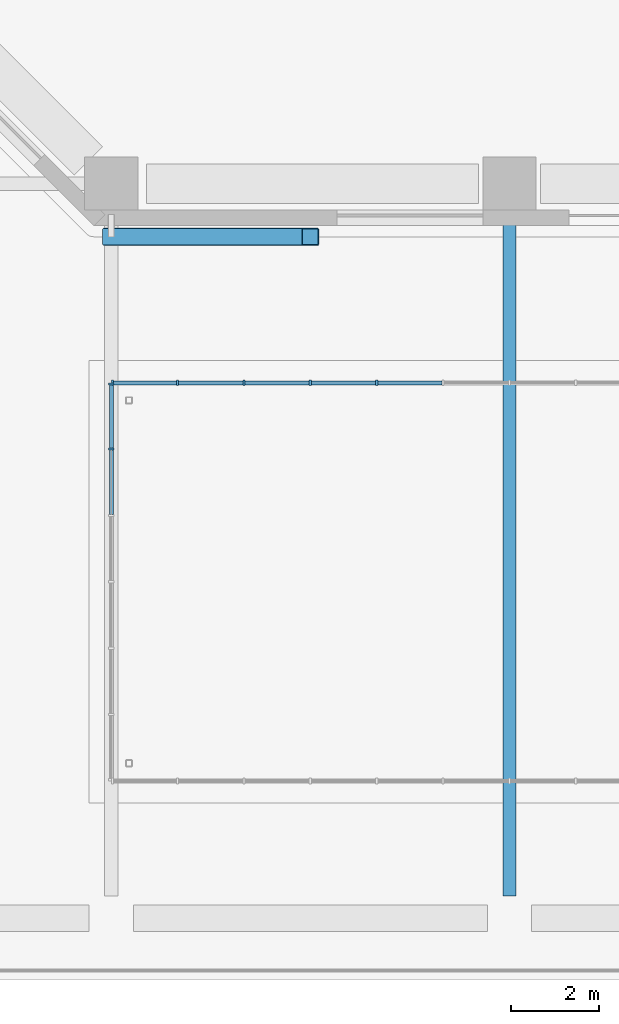
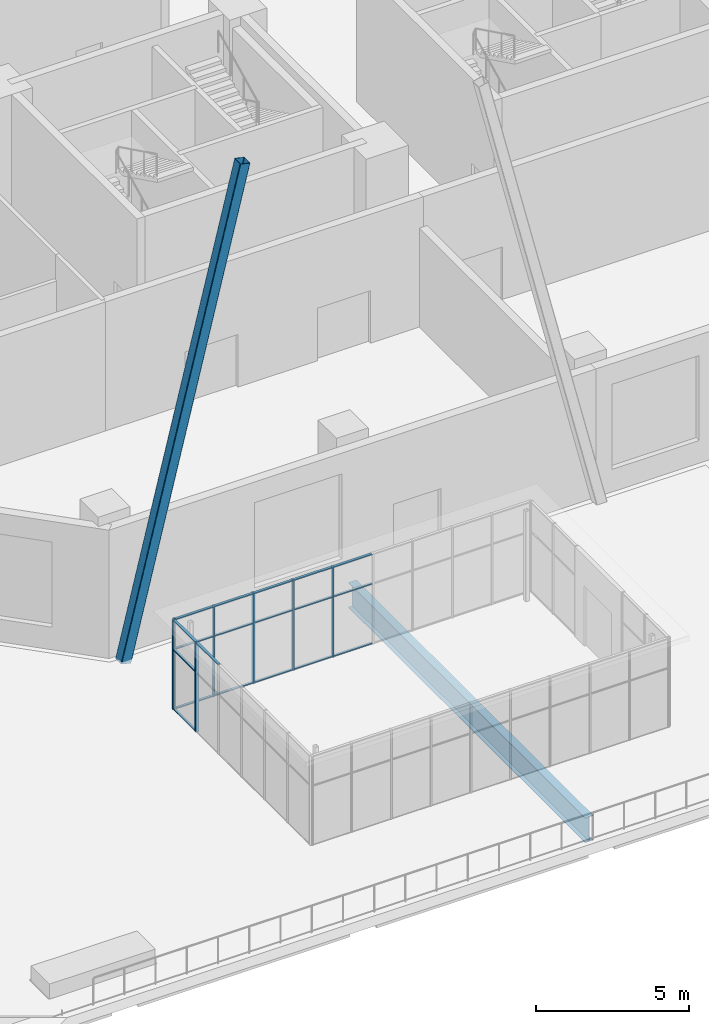
# One storey, part 6 of 33: 27 members, 1 beam, 2 elements without a shape of their own.
"""IFC4 building model written with IfcOpenShell, lengths in metres."""

from ifc_helpers import new_model, si_unit, direction, frame, origin, origin_2d, place, context, subcontext, project, spatial, rectangle, hollow_rectangle, i_section, extrude, material, constituent, constituent_set, material_profile, profile_set, type_object, element, aggregate, save


model = new_model("IFC4")

# Units and contexts
model_context = context("Model", 3, precision=1e-05, world=origin(), true_north=direction((0.0, 1.0)))
body_context = subcontext(model_context, "Body", "Model", "MODEL_VIEW")
ifc_project = project(units=[si_unit("LENGTHUNIT", "METRE"), si_unit("AREAUNIT", "SQUARE_METRE"), si_unit("VOLUMEUNIT", "CUBIC_METRE"), si_unit("PLANEANGLEUNIT", "RADIAN"), si_unit("MASSUNIT", "GRAM", prefix="KILO")], contexts=[model_context])

# Site, building, storey
site_placement = place(None, origin())
site = spatial("IfcSite", under=ifc_project, at=site_placement, CompositionType="ELEMENT")
building_placement = place(site_placement, origin())
building = spatial("IfcBuilding", under=site, at=building_placement, Name="Quoin Convention Tower", CompositionType="ELEMENT")
storey_placement = place(building_placement, frame((0.0, 0.0, 8.0)))
storey = spatial("IfcBuildingStorey", under=building, at=storey_placement, Name="L01", CompositionType="ELEMENT", Elevation=8.0)

# Beam
ifc_material_1 = material(Name="Steel Grade 300", Category="steel")
ifc_material_profile_1 = material_profile(ifc_material_1, i_section(OverallWidth=0.300048828125, OverallDepth=1.0, WebThickness=0.01611328125, FlangeThickness=0.02001953125, at=origin_2d()), Name="1000WB215")
ifc_profile_set_1 = profile_set([ifc_material_profile_1], Name="Steel Grade 300")
beam_type = type_object("IfcBeamType", Name="1000WB215", PredefinedType="BEAM", material=ifc_profile_set_1)
beam_placement = place(storey_placement, frame((27.0, 1.89990234375, -0.909912109375), z_axis=(0.0, 1.0, 0.0), x_axis=(-1.0, 0.0, 0.0)))
element("IfcBeam", 1, at=beam_placement, inside=storey, type_object=beam_type, Name="gir-L01-deck-N27000_1900", PredefinedType="BEAM", context=body_context, shape_type="SweptSolid", body=[
    extrude(i_section(OverallWidth=0.300048828125, OverallDepth=1.0, WebThickness=0.01611328125, FlangeThickness=0.02001953125, at=origin_2d()), origin(), (0.0, 0.0, 1.0), 15.5),
])

# Member
ifc_material_2 = material(Name="Steel C450L0", Category="steel")
ifc_material_profile_2 = material_profile(ifc_material_2, hollow_rectangle(XDim=0.39990234375, YDim=0.39990234375, WallThickness=0.01611328125, InnerFilletRadius=0.02392578125, OuterFilletRadius=0.0400390625, at=origin_2d()), Name="400x400x16.0SHS")
ifc_profile_set_2 = profile_set([ifc_material_profile_2], Name="Steel C450L0")
member_type_1 = type_object("IfcMemberType", Name="Exposed brace 400x400x16.0SHS", PredefinedType="BRACE", material=ifc_profile_set_2)
member_1_placement = place(storey_placement, frame((18.0, 16.800048828125, -0.074951171875), z_axis=(0.237564979371, 0.0, 0.971371649049), x_axis=(0.0, 1.0, 0.0)))
element("IfcMember", 2, at=member_1_placement, inside=storey, type_object=member_type_1, Name="brc-L01-18000_18000-22500_18000", PredefinedType="BRACE", context=body_context, shape_type="SweptSolid", body=[
    extrude(hollow_rectangle(XDim=0.39990234375, YDim=0.39990234375, WallThickness=0.01611328125, InnerFilletRadius=0.02392578125, OuterFilletRadius=0.0400390625, at=origin_2d()), origin(), (0.0, 0.0, 1.0), 18.942138671875),
])

# Curtain wall, members
ifc_material_3 = material(Name="Aluminium", Category="aluminium")
ifc_constituent_1 = constituent(ifc_material_3, Name="Frame")
ifc_material_4 = material(Name="Insulated glass", Category="glass")
ifc_constituent_2 = constituent(ifc_material_4, Name="Glazing")
ifc_constituent_set = constituent_set(constituents=[ifc_constituent_1, ifc_constituent_2], Name="Aluminium")
curtain_wall_type = type_object("IfcCurtainWallType", Name="Garden pavilion glazing system", PredefinedType="NOTDEFINED", material=ifc_constituent_set)
curtain_wall_1_placement = place(storey_placement, origin())
curtain_wall_1 = element("IfcCurtainWall", 3, at=curtain_wall_1_placement, inside=storey, type_object=curtain_wall_type, Name="cw-PAV-W1-31500_13500", PredefinedType="NOTDEFINED")
ifc_material_profile_3 = material_profile(ifc_material_3, rectangle(XDim=0.1298828125, YDim=0.050048828125, at=origin_2d()), Name="Garden pavilion glazing mullion 50x130")
ifc_profile_set_3 = profile_set([ifc_material_profile_3], Name="Aluminium")
member_type_2 = type_object("IfcMemberType", Name="Garden pavilion glazing mullion 50x130", PredefinedType="MULLION", material=ifc_profile_set_3)
member_2_placement = place(storey_placement, frame((24.0, 13.5, 0.0), z_axis=(0.0, 0.0, 1.0), x_axis=(0.0, -1.0, 0.0)))
member_2 = element("IfcMember", 4, at=member_2_placement, type_object=member_type_2, Name="CW4 mullion 6", PredefinedType="MULLION", context=body_context, shape_type="SweptSolid", body=[
    extrude(rectangle(XDim=0.1298828125, YDim=0.050048828125, at=origin_2d()), origin(), (0.0, 0.0, 1.0), 3.60009765625),
])
member_3_placement = place(storey_placement, frame((22.5, 13.5, 0.0), z_axis=(0.0, 0.0, 1.0), x_axis=(0.0, -1.0, 0.0)))
member_3 = element("IfcMember", 5, at=member_3_placement, type_object=member_type_2, Name="CW4 mullion 7", PredefinedType="MULLION", context=body_context, shape_type="SweptSolid", body=[
    extrude(rectangle(XDim=0.1298828125, YDim=0.050048828125, at=origin_2d()), origin(), (0.0, 0.0, 1.0), 3.60009765625),
])
member_4_placement = place(storey_placement, frame((21.0, 13.5, 0.0), z_axis=(0.0, 0.0, 1.0), x_axis=(0.0, -1.0, 0.0)))
member_4 = element("IfcMember", 6, at=member_4_placement, type_object=member_type_2, Name="CW4 mullion 8", PredefinedType="MULLION", context=body_context, shape_type="SweptSolid", body=[
    extrude(rectangle(XDim=0.1298828125, YDim=0.050048828125, at=origin_2d()), origin(), (0.0, 0.0, 1.0), 3.60009765625),
])
member_5_placement = place(storey_placement, frame((19.5, 13.5, 0.0), z_axis=(0.0, 0.0, 1.0), x_axis=(0.0, -1.0, 0.0)))
member_5 = element("IfcMember", 7, at=member_5_placement, type_object=member_type_2, Name="CW4 mullion 9", PredefinedType="MULLION", context=body_context, shape_type="SweptSolid", body=[
    extrude(rectangle(XDim=0.1298828125, YDim=0.050048828125, at=origin_2d()), origin(), (0.0, 0.0, 1.0), 3.60009765625),
])
member_6_placement = place(storey_placement, frame((18.02490234375, 13.5, 0.0), z_axis=(0.0, 0.0, 1.0), x_axis=(0.0, -1.0, 0.0)))
member_6 = element("IfcMember", 8, at=member_6_placement, type_object=member_type_2, Name="CW4 mullion 10", PredefinedType="MULLION", context=body_context, shape_type="SweptSolid", body=[
    extrude(rectangle(XDim=0.1298828125, YDim=0.050048828125, at=origin_2d()), origin(), (0.0, 0.0, 1.0), 3.60009765625),
])

curtain_wall_2_placement = place(storey_placement, origin())
curtain_wall_2 = element("IfcCurtainWall", 9, at=curtain_wall_2_placement, inside=storey, type_object=curtain_wall_type, Name="cw-PAV-W2-18000_13500", PredefinedType="NOTDEFINED")
member_7_placement = place(storey_placement, frame((18.0, 13.47509765625, 0.0), z_axis=(0.0, 0.0, 1.0), x_axis=(1.0, 0.0, 0.0)))
member_7 = element("IfcMember", 10, at=member_7_placement, type_object=member_type_2, Name="CW4 mullion 1", PredefinedType="MULLION", context=body_context, shape_type="SweptSolid", body=[
    extrude(rectangle(XDim=0.1298828125, YDim=0.050048828125, at=origin_2d()), origin(), (0.0, 0.0, 1.0), 3.60009765625),
])
member_8_placement = place(storey_placement, frame((18.0, 12.0, 0.0), z_axis=(0.0, 0.0, 1.0), x_axis=(1.0, 0.0, 0.0)))
member_8 = element("IfcMember", 11, at=member_8_placement, type_object=member_type_2, Name="CW4 mullion 2", PredefinedType="MULLION", context=body_context, shape_type="SweptSolid", body=[
    extrude(rectangle(XDim=0.1298828125, YDim=0.050048828125, at=origin_2d()), origin(), (0.0, 0.0, 1.0), 3.60009765625),
])

# Member
ifc_material_profile_4 = material_profile(ifc_material_3, rectangle(XDim=0.090087890625, YDim=0.0400390625, at=origin_2d()), Name="Garden pavilion glazing transom 40x90")
ifc_profile_set_4 = profile_set([ifc_material_profile_4], Name="Aluminium")
member_type_3 = type_object("IfcMemberType", Name="Garden pavilion glazing transom 40x90", PredefinedType="USERDEFINED", material=ifc_profile_set_4)
member_9_placement = place(storey_placement, frame((25.47509765625, 13.5, 0.02001953125), z_axis=(-1.0, 0.0, 0.0), x_axis=(0.0, -1.0, 0.0)))
member_9 = element("IfcMember", 12, at=member_9_placement, type_object=member_type_3, Name="CW4 transom 5.1", ObjectType="TRANSOM", PredefinedType="USERDEFINED", context=body_context, shape_type="SweptSolid", body=[
    extrude(rectangle(XDim=0.090087890625, YDim=0.0400390625, at=origin_2d()), origin(), (0.0, 0.0, 1.0), 1.4501953125),
])

member_10_placement = place(storey_placement, frame((25.47509765625, 13.5, 2.39990234375), z_axis=(-1.0, 0.0, 0.0), x_axis=(0.0, -1.0, 0.0)))
member_10 = element("IfcMember", 13, at=member_10_placement, type_object=member_type_3, Name="CW4 transom 5.2", ObjectType="TRANSOM", PredefinedType="USERDEFINED", context=body_context, shape_type="SweptSolid", body=[
    extrude(rectangle(XDim=0.090087890625, YDim=0.0400390625, at=origin_2d()), origin(), (0.0, 0.0, 1.0), 1.4501953125),
])

member_11_placement = place(storey_placement, frame((25.47509765625, 13.5, 3.580078125), z_axis=(-1.0, 0.0, 0.0), x_axis=(0.0, -1.0, 0.0)))
member_11 = element("IfcMember", 14, at=member_11_placement, type_object=member_type_3, Name="CW4 transom 5.3", ObjectType="TRANSOM", PredefinedType="USERDEFINED", context=body_context, shape_type="SweptSolid", body=[
    extrude(rectangle(XDim=0.090087890625, YDim=0.0400390625, at=origin_2d()), origin(), (0.0, 0.0, 1.0), 1.4501953125),
])

member_12_placement = place(storey_placement, frame((23.97509765625, 13.5, 0.02001953125), z_axis=(-1.0, 0.0, 0.0), x_axis=(0.0, -1.0, 0.0)))
member_12 = element("IfcMember", 15, at=member_12_placement, type_object=member_type_3, Name="CW4 transom 6.1", ObjectType="TRANSOM", PredefinedType="USERDEFINED", context=body_context, shape_type="SweptSolid", body=[
    extrude(rectangle(XDim=0.090087890625, YDim=0.0400390625, at=origin_2d()), origin(), (0.0, 0.0, 1.0), 1.4501953125),
])

member_13_placement = place(storey_placement, frame((23.97509765625, 13.5, 2.39990234375), z_axis=(-1.0, 0.0, 0.0), x_axis=(0.0, -1.0, 0.0)))
member_13 = element("IfcMember", 16, at=member_13_placement, type_object=member_type_3, Name="CW4 transom 6.2", ObjectType="TRANSOM", PredefinedType="USERDEFINED", context=body_context, shape_type="SweptSolid", body=[
    extrude(rectangle(XDim=0.090087890625, YDim=0.0400390625, at=origin_2d()), origin(), (0.0, 0.0, 1.0), 1.4501953125),
])

member_14_placement = place(storey_placement, frame((23.97509765625, 13.5, 3.580078125), z_axis=(-1.0, 0.0, 0.0), x_axis=(0.0, -1.0, 0.0)))
member_14 = element("IfcMember", 17, at=member_14_placement, type_object=member_type_3, Name="CW4 transom 6.3", ObjectType="TRANSOM", PredefinedType="USERDEFINED", context=body_context, shape_type="SweptSolid", body=[
    extrude(rectangle(XDim=0.090087890625, YDim=0.0400390625, at=origin_2d()), origin(), (0.0, 0.0, 1.0), 1.4501953125),
])

member_15_placement = place(storey_placement, frame((22.47509765625, 13.5, 0.02001953125), z_axis=(-1.0, 0.0, 0.0), x_axis=(0.0, -1.0, 0.0)))
member_15 = element("IfcMember", 18, at=member_15_placement, type_object=member_type_3, Name="CW4 transom 7.1", ObjectType="TRANSOM", PredefinedType="USERDEFINED", context=body_context, shape_type="SweptSolid", body=[
    extrude(rectangle(XDim=0.090087890625, YDim=0.0400390625, at=origin_2d()), origin(), (0.0, 0.0, 1.0), 1.4501953125),
])

member_16_placement = place(storey_placement, frame((22.47509765625, 13.5, 2.39990234375), z_axis=(-1.0, 0.0, 0.0), x_axis=(0.0, -1.0, 0.0)))
member_16 = element("IfcMember", 19, at=member_16_placement, type_object=member_type_3, Name="CW4 transom 7.2", ObjectType="TRANSOM", PredefinedType="USERDEFINED", context=body_context, shape_type="SweptSolid", body=[
    extrude(rectangle(XDim=0.090087890625, YDim=0.0400390625, at=origin_2d()), origin(), (0.0, 0.0, 1.0), 1.4501953125),
])

member_17_placement = place(storey_placement, frame((22.47509765625, 13.5, 3.580078125), z_axis=(-1.0, 0.0, 0.0), x_axis=(0.0, -1.0, 0.0)))
member_17 = element("IfcMember", 20, at=member_17_placement, type_object=member_type_3, Name="CW4 transom 7.3", ObjectType="TRANSOM", PredefinedType="USERDEFINED", context=body_context, shape_type="SweptSolid", body=[
    extrude(rectangle(XDim=0.090087890625, YDim=0.0400390625, at=origin_2d()), origin(), (0.0, 0.0, 1.0), 1.4501953125),
])

member_18_placement = place(storey_placement, frame((20.97509765625, 13.5, 0.02001953125), z_axis=(-1.0, 0.0, 0.0), x_axis=(0.0, -1.0, 0.0)))
member_18 = element("IfcMember", 21, at=member_18_placement, type_object=member_type_3, Name="CW4 transom 8.1", ObjectType="TRANSOM", PredefinedType="USERDEFINED", context=body_context, shape_type="SweptSolid", body=[
    extrude(rectangle(XDim=0.090087890625, YDim=0.0400390625, at=origin_2d()), origin(), (0.0, 0.0, 1.0), 1.4501953125),
])

member_19_placement = place(storey_placement, frame((20.97509765625, 13.5, 2.39990234375), z_axis=(-1.0, 0.0, 0.0), x_axis=(0.0, -1.0, 0.0)))
member_19 = element("IfcMember", 22, at=member_19_placement, type_object=member_type_3, Name="CW4 transom 8.2", ObjectType="TRANSOM", PredefinedType="USERDEFINED", context=body_context, shape_type="SweptSolid", body=[
    extrude(rectangle(XDim=0.090087890625, YDim=0.0400390625, at=origin_2d()), origin(), (0.0, 0.0, 1.0), 1.4501953125),
])

member_20_placement = place(storey_placement, frame((20.97509765625, 13.5, 3.580078125), z_axis=(-1.0, 0.0, 0.0), x_axis=(0.0, -1.0, 0.0)))
member_20 = element("IfcMember", 23, at=member_20_placement, type_object=member_type_3, Name="CW4 transom 8.3", ObjectType="TRANSOM", PredefinedType="USERDEFINED", context=body_context, shape_type="SweptSolid", body=[
    extrude(rectangle(XDim=0.090087890625, YDim=0.0400390625, at=origin_2d()), origin(), (0.0, 0.0, 1.0), 1.4501953125),
])

member_21_placement = place(storey_placement, frame((19.47509765625, 13.5, 0.02001953125), z_axis=(-1.0, 0.0, 0.0), x_axis=(0.0, -1.0, 0.0)))
member_21 = element("IfcMember", 24, at=member_21_placement, type_object=member_type_3, Name="CW4 transom 9.1", ObjectType="TRANSOM", PredefinedType="USERDEFINED", context=body_context, shape_type="SweptSolid", body=[
    extrude(rectangle(XDim=0.090087890625, YDim=0.0400390625, at=origin_2d()), origin(), (0.0, 0.0, 1.0), 1.425048828125),
])

member_22_placement = place(storey_placement, frame((19.47509765625, 13.5, 2.39990234375), z_axis=(-1.0, 0.0, 0.0), x_axis=(0.0, -1.0, 0.0)))
member_22 = element("IfcMember", 25, at=member_22_placement, type_object=member_type_3, Name="CW4 transom 9.2", ObjectType="TRANSOM", PredefinedType="USERDEFINED", context=body_context, shape_type="SweptSolid", body=[
    extrude(rectangle(XDim=0.090087890625, YDim=0.0400390625, at=origin_2d()), origin(), (0.0, 0.0, 1.0), 1.425048828125),
])

member_23_placement = place(storey_placement, frame((19.47509765625, 13.5, 3.580078125), z_axis=(-1.0, 0.0, 0.0), x_axis=(0.0, -1.0, 0.0)))
member_23 = element("IfcMember", 26, at=member_23_placement, type_object=member_type_3, Name="CW4 transom 9.3", ObjectType="TRANSOM", PredefinedType="USERDEFINED", context=body_context, shape_type="SweptSolid", body=[
    extrude(rectangle(XDim=0.090087890625, YDim=0.0400390625, at=origin_2d()), origin(), (0.0, 0.0, 1.0), 1.425048828125),
])

aggregate(curtain_wall_1, [member_2, member_3, member_4, member_5, member_6, member_9, member_10, member_11, member_12, member_13, member_14, member_15, member_16, member_17, member_18, member_19, member_20, member_21, member_22, member_23])

member_24_placement = place(storey_placement, frame((18.0, 13.449951171875, 0.02001953125), z_axis=(0.0, -1.0, 0.0), x_axis=(1.0, 0.0, 0.0)))
member_24 = element("IfcMember", 27, at=member_24_placement, type_object=member_type_3, Name="CW4 transom 1.1", ObjectType="TRANSOM", PredefinedType="USERDEFINED", context=body_context, shape_type="SweptSolid", body=[
    extrude(rectangle(XDim=0.090087890625, YDim=0.0400390625, at=origin_2d()), origin(), (0.0, 0.0, 1.0), 1.425048828125),
])

member_25_placement = place(storey_placement, frame((18.0, 13.449951171875, 2.39990234375), z_axis=(0.0, -1.0, 0.0), x_axis=(1.0, 0.0, 0.0)))
member_25 = element("IfcMember", 28, at=member_25_placement, type_object=member_type_3, Name="CW4 transom 1.2", ObjectType="TRANSOM", PredefinedType="USERDEFINED", context=body_context, shape_type="SweptSolid", body=[
    extrude(rectangle(XDim=0.090087890625, YDim=0.0400390625, at=origin_2d()), origin(), (0.0, 0.0, 1.0), 1.425048828125),
])

member_26_placement = place(storey_placement, frame((18.0, 13.449951171875, 3.580078125), z_axis=(0.0, -1.0, 0.0), x_axis=(1.0, 0.0, 0.0)))
member_26 = element("IfcMember", 29, at=member_26_placement, type_object=member_type_3, Name="CW4 transom 1.3", ObjectType="TRANSOM", PredefinedType="USERDEFINED", context=body_context, shape_type="SweptSolid", body=[
    extrude(rectangle(XDim=0.090087890625, YDim=0.0400390625, at=origin_2d()), origin(), (0.0, 0.0, 1.0), 1.425048828125),
])

member_27_placement = place(storey_placement, frame((18.0, 11.97509765625, 3.580078125), z_axis=(0.0, -1.0, 0.0), x_axis=(1.0, 0.0, 0.0)))
member_27 = element("IfcMember", 30, at=member_27_placement, type_object=member_type_3, Name="CW4 transom 2.3", ObjectType="TRANSOM", PredefinedType="USERDEFINED", context=body_context, shape_type="SweptSolid", body=[
    extrude(rectangle(XDim=0.090087890625, YDim=0.0400390625, at=origin_2d()), origin(), (0.0, 0.0, 1.0), 1.4501953125),
])

aggregate(curtain_wall_2, [member_7, member_8, member_24, member_25, member_26, member_27])

save(model, "model.ifc")
